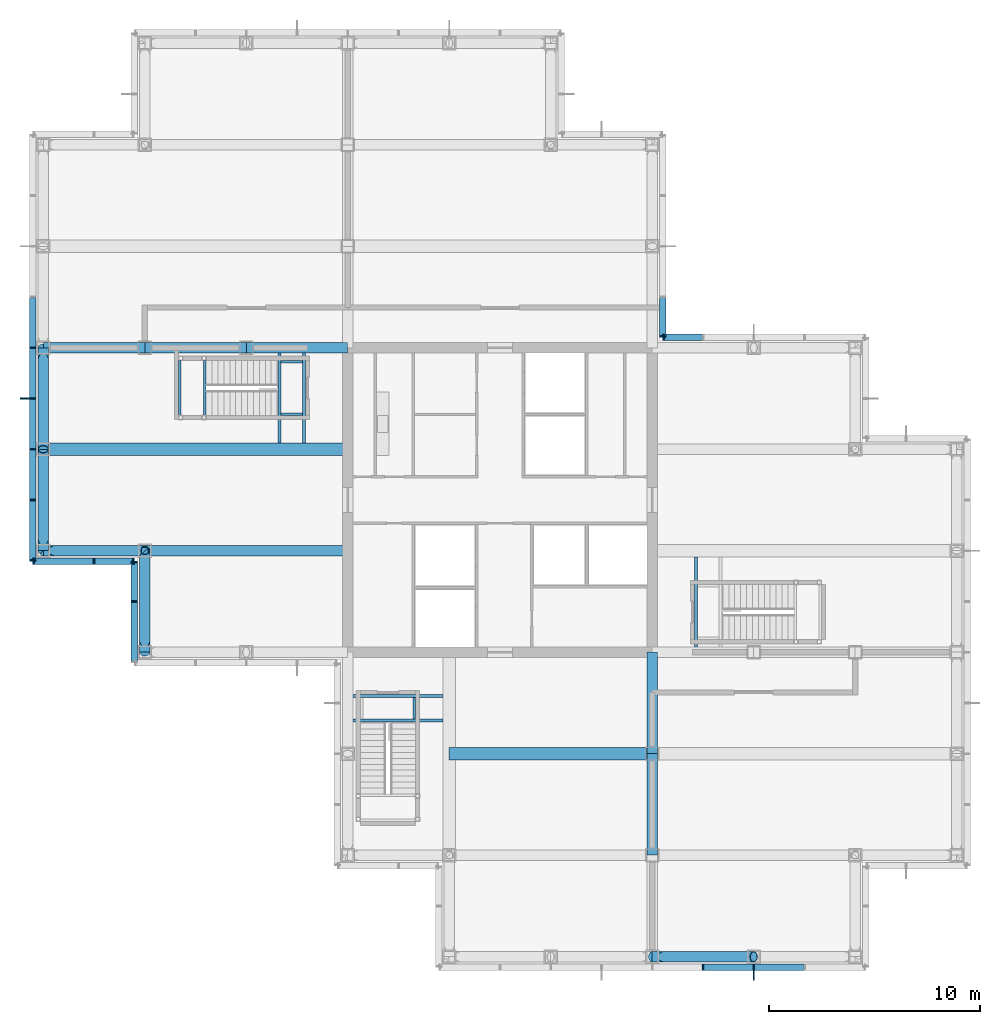
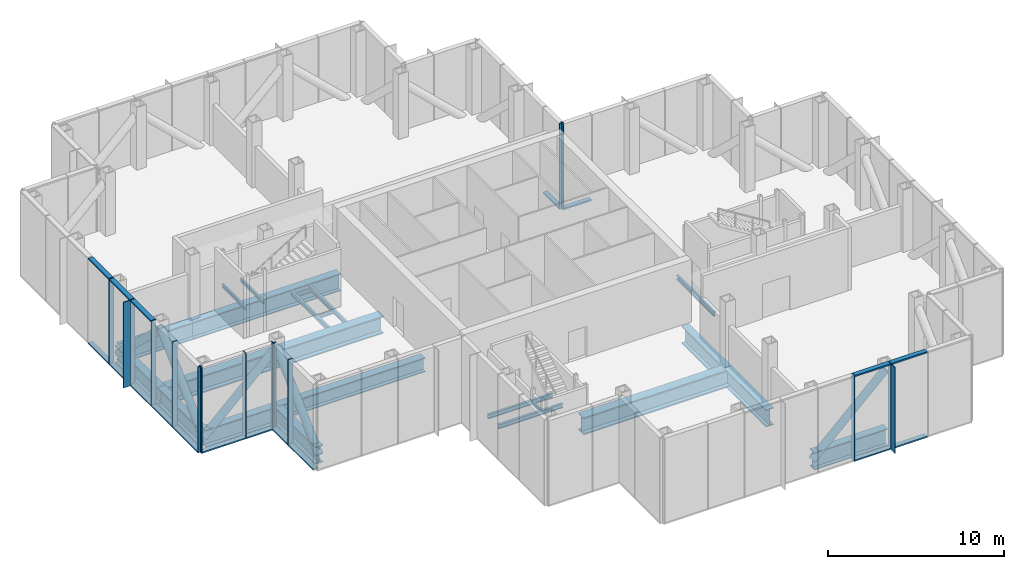
# One storey, part 7 of 17: 39 members, 23 beams, 6 elements without a shape of their own.
"""IFC4 building model written with IfcOpenShell, lengths in metres."""

import ifcopenshell
import ifcopenshell.guid

model = None  # the IFC model being written
_history = None  # IfcOwnerHistory: only IFC2X3 demands one
_inside = {}  # id of a spatial element -> (the spatial element, [elements in it])
_under = {}  # id of a project, library or spatial element -> (it, [spatial elements below it])
_declared = {}  # id of a project -> (the project, [libraries it declares])
_typed = {}  # id of a type object -> (the type object, [elements of that type])
_made_of = {}  # id of a material, layer set ... -> (it, [elements and type objects made of it])


def new_model(schema):
    """Start an empty IFC model of exactly this schema.

    Asked for "IFC4X3", IfcOpenShell would pick the latest addendum, in which some entities
    have other attributes; the version numbers below select the first issue.
    IFC2X3 requires an IfcOwnerHistory on every rooted entity: one is made here for all.
    """
    global model, _history
    if schema == "IFC4X3":
        model = ifcopenshell.file(schema_version=(4, 3, 0, 0))
    else:
        model = ifcopenshell.file(schema=schema)
    _inside.clear()
    _under.clear()
    _declared.clear()
    _typed.clear()
    _made_of.clear()
    _history = None
    if model.schema == "IFC2X3":
        org = make("IfcOrganization", Name="unknown")
        user = make(
            "IfcPersonAndOrganization",
            ThePerson=make("IfcPerson", FamilyName="unknown"),
            TheOrganization=org,
        )
        app = make(
            "IfcApplication",
            ApplicationDeveloper=org,
            Version="unknown",
            ApplicationFullName="unknown",
            ApplicationIdentifier="unknown",
        )
        _history = make(
            "IfcOwnerHistory",
            OwningUser=user,
            OwningApplication=app,
            ChangeAction="ADDED",
            CreationDate=0,
        )
    return model


def make(cls, **values):
    """One entity of the class cls with the attributes given. An attribute that is None is left unset."""
    return model.create_entity(
        cls, **{name: value for name, value in values.items() if value is not None}
    )


def rooted(cls, **values):
    """An entity with a GlobalId (a new one), such as an element, a storey or a relation."""
    return make(cls, GlobalId=ifcopenshell.guid.new(), OwnerHistory=_history, **values)


def si_unit(unit_type, name, prefix=None):
    """IfcSIUnit, for example si_unit("LENGTHUNIT", "METRE", prefix="MILLI")."""
    return make("IfcSIUnit", UnitType=unit_type, Prefix=prefix, Name=name)


def assignment(units):
    """IfcUnitAssignment: the units of a project."""
    return None if units is None else make("IfcUnitAssignment", Units=units)


def point(xyz):
    """IfcCartesianPoint."""
    return None if xyz is None else make("IfcCartesianPoint", Coordinates=xyz)


def direction(xyz):
    """IfcDirection."""
    return None if xyz is None else make("IfcDirection", DirectionRatios=xyz)


def frame(location, z_axis=None, x_axis=None):
    """IfcAxis2Placement3D, a coordinate frame: its origin and axes. An axis left out is left unset."""
    return make(
        "IfcAxis2Placement3D",
        Location=point(location),
        Axis=direction(z_axis),
        RefDirection=direction(x_axis),
    )


def frame_2d(location, x_axis=None):
    """IfcAxis2Placement2D, a coordinate frame in the plane: its origin and x axis."""
    return make(
        "IfcAxis2Placement2D", Location=point(location), RefDirection=direction(x_axis)
    )


def origin():
    """The frame at (0, 0, 0) with its axes left unset."""
    return frame((0.0, 0.0, 0.0))


def origin_2d():
    """The frame at (0, 0) in the plane with its x axis left unset."""
    return frame_2d((0.0, 0.0))


def place(relative_to, where):
    """IfcLocalPlacement: puts the frame where relative to a parent placement (None: the world)."""
    return make(
        "IfcLocalPlacement", PlacementRelTo=relative_to, RelativePlacement=where
    )


def context(
    kind, dimensions, precision=None, world=None, true_north=None, identifier=None
):
    """IfcGeometricRepresentationContext, for example the 3D "Model" context."""
    return make(
        "IfcGeometricRepresentationContext",
        ContextIdentifier=identifier,
        ContextType=kind,
        CoordinateSpaceDimension=dimensions,
        Precision=precision,
        WorldCoordinateSystem=world,
        TrueNorth=true_north,
    )


def subcontext(parent, identifier, kind, view, scale=None):
    """IfcGeometricRepresentationSubContext, for example "Body" below "Model"."""
    return make(
        "IfcGeometricRepresentationSubContext",
        ContextIdentifier=identifier,
        ContextType=kind,
        ParentContext=parent,
        TargetScale=scale,
        TargetView=view,
    )


def project(units=None, contexts=None):
    """IfcProject with its units and contexts."""
    return rooted(
        "IfcProject",
        Name="project",
        RepresentationContexts=contexts,
        UnitsInContext=assignment(units),
    )


def spatial(cls, under=None, at=None, **own):
    """A site, building, storey or space (cls), placed at a placement, below another one or the project."""
    s = rooted(cls, ObjectPlacement=at, **own)
    if under is not None:
        _under.setdefault(under.id(), (under, []))[1].append(s)
    return s


def profile(cls, at=None, kind="AREA", **sizes):
    """A parametric profile (cls). Its sizes go by their IFC names, for example OverallWidth=200.0."""
    return make(cls, ProfileType=kind, Position=at, **sizes)


def rectangle(**sizes):
    """IfcRectangleProfileDef."""
    return profile("IfcRectangleProfileDef", **sizes)


def hollow_circle(**sizes):
    """IfcCircleHollowProfileDef."""
    return profile("IfcCircleHollowProfileDef", **sizes)


def i_section(**sizes):
    """IfcIShapeProfileDef."""
    return profile("IfcIShapeProfileDef", **sizes)


def extrude(swept, where, along, depth):
    """IfcExtrudedAreaSolid: the profile swept, set in the frame where, extruded along a direction by depth."""
    return make(
        "IfcExtrudedAreaSolid",
        SweptArea=swept,
        Position=where,
        ExtrudedDirection=direction(along),
        Depth=depth,
    )


def shape(context_of_items, identifier, shape_type, items):
    """IfcShapeRepresentation: the items that make up one representation, for example the "Body"."""
    return make(
        "IfcShapeRepresentation",
        ContextOfItems=context_of_items,
        RepresentationIdentifier=identifier,
        RepresentationType=shape_type,
        Items=items,
    )


def material(Name=None, Category=None):
    """IfcMaterial."""
    return make("IfcMaterial", Name=Name, Category=Category)


def material_profile(
    of_material, cross_section, Name=None, Category=None, Priority=None
):
    """IfcMaterialProfile: a cross section and its material."""
    return make(
        "IfcMaterialProfile",
        Name=Name,
        Material=of_material,
        Profile=cross_section,
        Priority=Priority,
        Category=Category,
    )


def profile_set(profiles, Name=None, composite=None):
    """IfcMaterialProfileSet."""
    return make(
        "IfcMaterialProfileSet",
        Name=Name,
        MaterialProfiles=profiles,
        CompositeProfile=composite,
    )


def made_of(thing, what):
    """Note that an element or type object is made of a material, layer set ...; save() writes the relation."""
    if what is not None:
        _made_of.setdefault(what.id(), (what, []))[1].append(thing)
    return thing


def type_object(cls, material=None, **own):
    """A type object (cls), such as IfcWallType, which elements share."""
    return made_of(rooted(cls, **own), material)


def element(
    cls,
    number,
    at=None,
    inside=None,
    cuts=None,
    type_object=None,
    material=None,
    context=None,
    identifier="Body",
    shape_type=None,
    held_by="IfcProductDefinitionShape",
    body=None,
    shapes=None,
    **own,
):
    """One element of the class cls, such as IfcWall. Its Tag is "e" and its number.

    at: its placement. inside: the storey or other place that contains it. cuts: it is an
    opening in that element (IfcRelVoidsElement). A single representation is given by context,
    identifier, shape_type and body (its items); several are given by shapes. held_by: the class
    of the entity that holds the representations. save() writes the other relations.
    """
    e = rooted(cls, Tag="e%d" % number, ObjectPlacement=at, **own)
    if body is not None:
        shapes = [shape(context, identifier, shape_type, body)]
    if shapes is not None:
        e.Representation = make(held_by, Representations=shapes)
    if inside is not None:
        _inside.setdefault(inside.id(), (inside, []))[1].append(e)
    if cuts is not None:
        rooted(
            "IfcRelVoidsElement", RelatingBuildingElement=cuts, RelatedOpeningElement=e
        )
    if type_object is not None:
        _typed.setdefault(type_object.id(), (type_object, []))[1].append(e)
    return made_of(e, material)


def aggregate(whole, parts):
    """IfcRelAggregates: a whole, such as a stair, and the parts it consists of."""
    return rooted("IfcRelAggregates", RelatingObject=whole, RelatedObjects=parts)


def save(model, path):
    """Write the relations noted so far, then the file.

    IfcRelAggregates (storeys below a building ...), IfcRelContainedInSpatialStructure (elements
    in a storey), IfcRelDefinesByType, IfcRelAssociatesMaterial and IfcRelDeclares: one each for
    every whole, place, type object, material and project.
    """
    for whole, parts in _under.values():
        aggregate(whole, parts)
    for where, things in _inside.values():
        rooted(
            "IfcRelContainedInSpatialStructure",
            RelatedElements=things,
            RelatingStructure=where,
        )
    for kind, things in _typed.values():
        rooted("IfcRelDefinesByType", RelatedObjects=things, RelatingType=kind)
    for what, things in _made_of.values():
        rooted("IfcRelAssociatesMaterial", RelatedObjects=things, RelatingMaterial=what)
    for by, libraries in _declared.values():
        rooted("IfcRelDeclares", RelatingContext=by, RelatedDefinitions=libraries)
    model.write(path)


model = new_model("IFC4")

# Units and contexts
model_context = context("Model", 3, precision=1e-05, world=origin(), true_north=direction((0.0, 1.0)))
body_context = subcontext(model_context, "Body", "Model", "MODEL_VIEW")
ifc_project = project(units=[si_unit("LENGTHUNIT", "METRE"), si_unit("AREAUNIT", "SQUARE_METRE"), si_unit("VOLUMEUNIT", "CUBIC_METRE"), si_unit("PLANEANGLEUNIT", "RADIAN"), si_unit("MASSUNIT", "GRAM", prefix="KILO")], contexts=[model_context])

# Site, building, storey
site_placement = place(None, origin())
site = spatial("IfcSite", under=ifc_project, at=site_placement, CompositionType="ELEMENT")
building_placement = place(site_placement, origin())
building = spatial("IfcBuilding", under=site, at=building_placement, Name="Kvirike Care Tower", CompositionType="ELEMENT")
storey_placement = place(building_placement, frame((0.0, 0.0, 136.5)))
storey = spatial("IfcBuildingStorey", under=building, at=storey_placement, Name="L37", CompositionType="ELEMENT", Elevation=136.5)

# Members
ifc_material_1 = material(Name="Steel S355", Category="steel")
ifc_material_profile_1 = material_profile(ifc_material_1, hollow_circle(Radius=0.25390625, WallThickness=0.02490234375, at=origin_2d()), Name="CHS 508x25")
ifc_profile_set_1 = profile_set([ifc_material_profile_1], Name="Steel S355")
member_type_1 = type_object("IfcMemberType", Name="BELT TRUSS DIAGONAL CHS 508x25", PredefinedType="BRACE", material=ifc_profile_set_1)
member_1_placement = place(storey_placement, frame((0.0, 43.199951171875, -0.85009765625), z_axis=(0.0, -0.723490032929, 0.690334826191), x_axis=(1.0, 0.0, 0.0)))
element("IfcMember", 1, at=member_1_placement, inside=storey, type_object=member_type_1, Name="Belt truss diagonal K3-J3 L37", PredefinedType="BRACE", context=body_context, shape_type="SweptSolid", body=[
    extrude(hollow_circle(Radius=0.25390625, WallThickness=0.02490234375, at=origin_2d()), origin(), (0.0, 0.0, 1.0), 6.634521484375),
])
member_2_placement = place(storey_placement, frame((0.0, 33.60009765625, -0.85009765625), z_axis=(0.0, 0.723472495583, 0.690353205348), x_axis=(-1.0, 0.0, 0.0)))
element("IfcMember", 2, at=member_2_placement, inside=storey, type_object=member_type_1, Name="Belt truss diagonal J3-H3 L37", PredefinedType="BRACE", context=body_context, shape_type="SweptSolid", body=[
    extrude(hollow_circle(Radius=0.25390625, WallThickness=0.02490234375, at=origin_2d()), origin(), (0.0, 0.0, 1.0), 6.63427734375),
])
for number, where, z_axis, x_axis, name in (
    (3, (0.0, 33.60009765625, -0.85009765625), (0.723490032929, 0.0, 0.690334826191), (0.0, 1.0, 0.0), "Belt truss diagonal H3-H4 L37"),
    (4, (4.800048828125, 28.800048828125, -0.85009765625), (0.0, 0.723490032929, 0.690334826191), (-1.0, 0.0, 0.0), "Belt truss diagonal H4-G4 L37"),
    (5, (28.800048828125, 14.39990234375, -0.85009765625), (0.723490032929, 0.0, 0.690334826191), (0.0, 1.0, 0.0), "Belt truss diagonal D9-D10 L37"),
):
    element("IfcMember", number, at=place(storey_placement, frame(where, z_axis=z_axis, x_axis=x_axis)), inside=storey, type_object=member_type_1, Name=name, PredefinedType="BRACE", context=body_context, shape_type="SweptSolid", body=[
        extrude(hollow_circle(Radius=0.25390625, WallThickness=0.02490234375, at=origin_2d()), origin(), (0.0, 0.0, 1.0), 6.634521484375),
    ])

# Curtain wall, member
ifc_material_2 = material(Name="Anodised aluminium stick system", Category="aluminium")
curtain_wall_type = type_object("IfcCurtainWallType", Name="CW-L LOUVRED PLANT SCREEN", PredefinedType="NOTDEFINED", material=ifc_material_2)
curtain_wall_1_placement = place(storey_placement, origin())
curtain_wall_1 = element("IfcCurtainWall", 6, at=curtain_wall_1_placement, inside=storey, type_object=curtain_wall_type, Name="Curtain wall L37 face 11", PredefinedType="NOTDEFINED")
ifc_material_3 = material(Name="Bronze anodised aluminium fin", Category="aluminium")
ifc_material_profile_2 = material_profile(ifc_material_3, rectangle(XDim=0.050048828125, YDim=0.449951171875, at=origin_2d()), Name="BRONZE FIN 450")
ifc_profile_set_2 = profile_set([ifc_material_profile_2], Name="Bronze anodised aluminium fin")
member_type_2 = type_object("IfcMemberType", Name="BRONZE FIN 450", PredefinedType="USERDEFINED", material=ifc_profile_set_2)
member_3_placement = place(storey_placement, frame((-0.875, 40.800048828125, -1.449951171875), z_axis=(0.0, 0.0, 1.0), x_axis=(0.0, -1.0, 0.0)))
member_3 = element("IfcMember", 7, at=member_3_placement, type_object=member_type_2, Name="Bronze fin L37 face 11.6", ObjectType="FIN", PredefinedType="USERDEFINED", context=body_context, shape_type="SweptSolid", body=[
    extrude(rectangle(XDim=0.050048828125, YDim=0.449951171875, at=origin_2d()), origin(), (0.0, 0.0, 1.0), 5.949951171875),
])

curtain_wall_2_placement = place(storey_placement, origin())
curtain_wall_2 = element("IfcCurtainWall", 8, at=curtain_wall_2_placement, inside=storey, type_object=curtain_wall_type, Name="Curtain wall L37 face 18", PredefinedType="NOTDEFINED")
member_4_placement = place(storey_placement, frame((33.60009765625, 13.52490234375, -1.449951171875), z_axis=(0.0, 0.0, 1.0), x_axis=(1.0, 0.0, 0.0)))
member_4 = element("IfcMember", 9, at=member_4_placement, type_object=member_type_2, Name="Bronze fin L37 face 18.7", ObjectType="FIN", PredefinedType="USERDEFINED", context=body_context, shape_type="SweptSolid", body=[
    extrude(rectangle(XDim=0.050048828125, YDim=0.449951171875, at=origin_2d()), origin(), (0.0, 0.0, 1.0), 5.949951171875),
])

curtain_wall_3_placement = place(storey_placement, origin())
curtain_wall_3 = element("IfcCurtainWall", 10, at=curtain_wall_3_placement, inside=storey, type_object=curtain_wall_type, Name="Curtain wall L37 face 4", PredefinedType="NOTDEFINED")
ifc_material_4 = material(Name="Bronze anodised aluminium mullion", Category="aluminium")
ifc_material_profile_3 = material_profile(ifc_material_4, rectangle(XDim=0.06494140625, YDim=0.300048828125, at=origin_2d()), Name="CW-L MULLION 65x300")
ifc_profile_set_3 = profile_set([ifc_material_profile_3], Name="Bronze anodised aluminium mullion")
member_type_3 = type_object("IfcMemberType", Name="CW-L MULLION 65x300", PredefinedType="MULLION", material=ifc_profile_set_3)
member_5_placement = place(storey_placement, frame((29.33251953125, 43.699951171875, -1.449951171875), z_axis=(0.0, 0.0, 1.0), x_axis=(-1.0, 0.0, 0.0)))
member_5 = element("IfcMember", 11, at=member_5_placement, type_object=member_type_3, Name="CW-L mullion L37 face 4.5", PredefinedType="MULLION", context=body_context, shape_type="SweptSolid", body=[
    extrude(rectangle(XDim=0.06494140625, YDim=0.300048828125, at=origin_2d()), origin(), (0.0, 0.0, 1.0), 5.949951171875),
])

curtain_wall_4_placement = place(storey_placement, origin())
curtain_wall_4 = element("IfcCurtainWall", 12, at=curtain_wall_4_placement, inside=storey, type_object=curtain_wall_type, Name="Curtain wall L37 face 5", PredefinedType="NOTDEFINED")
member_6_placement = place(storey_placement, frame((29.300048828125, 43.732421875, -1.449951171875), z_axis=(0.0, 0.0, 1.0), x_axis=(0.0, 1.0, 0.0)))
member_6 = element("IfcMember", 13, at=member_6_placement, type_object=member_type_3, Name="CW-L mullion L37 face 5.1", PredefinedType="MULLION", context=body_context, shape_type="SweptSolid", body=[
    extrude(rectangle(XDim=0.06494140625, YDim=0.300048828125, at=origin_2d()), origin(), (0.0, 0.0, 1.0), 5.949951171875),
])

# Member
member_7_placement = place(storey_placement, frame((-0.5, 43.199951171875, -1.449951171875), z_axis=(0.0, 0.0, 1.0), x_axis=(0.0, -1.0, 0.0)))
member_7 = element("IfcMember", 14, at=member_7_placement, type_object=member_type_3, Name="CW-L mullion L37 face 11.5", PredefinedType="MULLION", context=body_context, shape_type="SweptSolid", body=[
    extrude(rectangle(XDim=0.06494140625, YDim=0.300048828125, at=origin_2d()), origin(), (0.0, 0.0, 1.0), 5.949951171875),
])

member_8_placement = place(storey_placement, frame((-0.5, 40.800048828125, -1.449951171875), z_axis=(0.0, 0.0, 1.0), x_axis=(0.0, -1.0, 0.0)))
member_8 = element("IfcMember", 15, at=member_8_placement, type_object=member_type_3, Name="CW-L mullion L37 face 11.6", PredefinedType="MULLION", context=body_context, shape_type="SweptSolid", body=[
    extrude(rectangle(XDim=0.06494140625, YDim=0.300048828125, at=origin_2d()), origin(), (0.0, 0.0, 1.0), 5.949951171875),
])

member_9_placement = place(storey_placement, frame((-0.5, 38.39990234375, -1.449951171875), z_axis=(0.0, 0.0, 1.0), x_axis=(0.0, -1.0, 0.0)))
member_9 = element("IfcMember", 16, at=member_9_placement, type_object=member_type_3, Name="CW-L mullion L37 face 11.7", PredefinedType="MULLION", context=body_context, shape_type="SweptSolid", body=[
    extrude(rectangle(XDim=0.06494140625, YDim=0.300048828125, at=origin_2d()), origin(), (0.0, 0.0, 1.0), 5.949951171875),
])

member_10_placement = place(storey_placement, frame((-0.5, 36.0, -1.449951171875), z_axis=(0.0, 0.0, 1.0), x_axis=(0.0, -1.0, 0.0)))
member_10 = element("IfcMember", 17, at=member_10_placement, type_object=member_type_3, Name="CW-L mullion L37 face 11.8", PredefinedType="MULLION", context=body_context, shape_type="SweptSolid", body=[
    extrude(rectangle(XDim=0.06494140625, YDim=0.300048828125, at=origin_2d()), origin(), (0.0, 0.0, 1.0), 5.949951171875),
])

member_11_placement = place(storey_placement, frame((-0.5, 33.132568359375, -1.449951171875), z_axis=(0.0, 0.0, 1.0), x_axis=(0.0, -1.0, 0.0)))
member_11 = element("IfcMember", 18, at=member_11_placement, type_object=member_type_3, Name="CW-L mullion L37 face 11.9", PredefinedType="MULLION", context=body_context, shape_type="SweptSolid", body=[
    extrude(rectangle(XDim=0.06494140625, YDim=0.300048828125, at=origin_2d()), origin(), (0.0, 0.0, 1.0), 5.949951171875),
])

# Curtain wall, members
curtain_wall_5_placement = place(storey_placement, origin())
curtain_wall_5 = element("IfcCurtainWall", 19, at=curtain_wall_5_placement, inside=storey, type_object=curtain_wall_type, Name="Curtain wall L37 face 12", PredefinedType="NOTDEFINED")
member_12_placement = place(storey_placement, frame((-0.467529296875, 33.10009765625, -1.449951171875), z_axis=(0.0, 0.0, 1.0), x_axis=(1.0, 0.0, 0.0)))
member_12 = element("IfcMember", 20, at=member_12_placement, type_object=member_type_3, Name="CW-L mullion L37 face 12.1", PredefinedType="MULLION", context=body_context, shape_type="SweptSolid", body=[
    extrude(rectangle(XDim=0.06494140625, YDim=0.300048828125, at=origin_2d()), origin(), (0.0, 0.0, 1.0), 5.949951171875),
])
member_13_placement = place(storey_placement, frame((2.39990234375, 33.10009765625, -1.449951171875), z_axis=(0.0, 0.0, 1.0), x_axis=(1.0, 0.0, 0.0)))
member_13 = element("IfcMember", 21, at=member_13_placement, type_object=member_type_3, Name="CW-L mullion L37 face 12.2", PredefinedType="MULLION", context=body_context, shape_type="SweptSolid", body=[
    extrude(rectangle(XDim=0.06494140625, YDim=0.300048828125, at=origin_2d()), origin(), (0.0, 0.0, 1.0), 5.949951171875),
])
member_14_placement = place(storey_placement, frame((4.267578125, 33.10009765625, -1.449951171875), z_axis=(0.0, 0.0, 1.0), x_axis=(1.0, 0.0, 0.0)))
member_14 = element("IfcMember", 22, at=member_14_placement, type_object=member_type_3, Name="CW-L mullion L37 face 12.3", PredefinedType="MULLION", context=body_context, shape_type="SweptSolid", body=[
    extrude(rectangle(XDim=0.06494140625, YDim=0.300048828125, at=origin_2d()), origin(), (0.0, 0.0, 1.0), 5.949951171875),
])

curtain_wall_6_placement = place(storey_placement, origin())
curtain_wall_6 = element("IfcCurtainWall", 23, at=curtain_wall_6_placement, inside=storey, type_object=curtain_wall_type, Name="Curtain wall L37 face 13", PredefinedType="NOTDEFINED")
member_15_placement = place(storey_placement, frame((4.300048828125, 33.0673828125, -1.449951171875), z_axis=(0.0, 0.0, 1.0), x_axis=(0.0, -1.0, 0.0)))
member_15 = element("IfcMember", 24, at=member_15_placement, type_object=member_type_3, Name="CW-L mullion L37 face 13.1", PredefinedType="MULLION", context=body_context, shape_type="SweptSolid", body=[
    extrude(rectangle(XDim=0.06494140625, YDim=0.300048828125, at=origin_2d()), origin(), (0.0, 0.0, 1.0), 5.949951171875),
])
member_16_placement = place(storey_placement, frame((4.300048828125, 31.199951171875, -1.449951171875), z_axis=(0.0, 0.0, 1.0), x_axis=(0.0, -1.0, 0.0)))
member_16 = element("IfcMember", 25, at=member_16_placement, type_object=member_type_3, Name="CW-L mullion L37 face 13.2", PredefinedType="MULLION", context=body_context, shape_type="SweptSolid", body=[
    extrude(rectangle(XDim=0.06494140625, YDim=0.300048828125, at=origin_2d()), origin(), (0.0, 0.0, 1.0), 5.949951171875),
])

# Member
member_17_placement = place(storey_placement, frame((31.199951171875, 13.89990234375, -1.449951171875), z_axis=(0.0, 0.0, 1.0), x_axis=(1.0, 0.0, 0.0)))
member_17 = element("IfcMember", 26, at=member_17_placement, type_object=member_type_3, Name="CW-L mullion L37 face 18.6", PredefinedType="MULLION", context=body_context, shape_type="SweptSolid", body=[
    extrude(rectangle(XDim=0.06494140625, YDim=0.300048828125, at=origin_2d()), origin(), (0.0, 0.0, 1.0), 5.949951171875),
])

member_18_placement = place(storey_placement, frame((33.60009765625, 13.89990234375, -1.449951171875), z_axis=(0.0, 0.0, 1.0), x_axis=(1.0, 0.0, 0.0)))
member_18 = element("IfcMember", 27, at=member_18_placement, type_object=member_type_3, Name="CW-L mullion L37 face 18.7", PredefinedType="MULLION", context=body_context, shape_type="SweptSolid", body=[
    extrude(rectangle(XDim=0.06494140625, YDim=0.300048828125, at=origin_2d()), origin(), (0.0, 0.0, 1.0), 5.949951171875),
])

ifc_material_5 = material(Name="Bronze anodised aluminium transom", Category="aluminium")
ifc_material_profile_4 = material_profile(ifc_material_5, rectangle(XDim=0.300048828125, YDim=0.10009765625, at=origin_2d()), Name="CW-L TRANSOM 300x100")
ifc_profile_set_4 = profile_set([ifc_material_profile_4], Name="Bronze anodised aluminium transom")
member_type_4 = type_object("IfcMemberType", Name="CW-L TRANSOM 300x100", PredefinedType="USERDEFINED", material=ifc_profile_set_4)
member_19_placement = place(storey_placement, frame((31.16748046875, 43.699951171875, -1.39990234375), z_axis=(-1.0, 0.0, 0.0), x_axis=(0.0, -1.0, 0.0)))
member_19 = element("IfcMember", 28, at=member_19_placement, type_object=member_type_4, Name="CW-L sill transom L37 face 4.4", ObjectType="TRANSOM", PredefinedType="USERDEFINED", context=body_context, shape_type="SweptSolid", body=[
    extrude(rectangle(XDim=0.300048828125, YDim=0.10009765625, at=origin_2d()), origin(), (0.0, 0.0, 1.0), 1.802490234375),
])

aggregate(curtain_wall_3, [member_5, member_19])

member_20_placement = place(storey_placement, frame((29.300048828125, 43.764892578125, -1.39990234375), z_axis=(0.0, 1.0, 0.0), x_axis=(-1.0, 0.0, 0.0)))
member_20 = element("IfcMember", 29, at=member_20_placement, type_object=member_type_4, Name="CW-L sill transom L37 face 5.1", ObjectType="TRANSOM", PredefinedType="USERDEFINED", context=body_context, shape_type="SweptSolid", body=[
    extrude(rectangle(XDim=0.300048828125, YDim=0.10009765625, at=origin_2d()), origin(), (0.0, 0.0, 1.0), 1.802490234375),
])

aggregate(curtain_wall_4, [member_6, member_20])

member_21_placement = place(storey_placement, frame((-0.5, 45.5673828125, -1.39990234375), z_axis=(0.0, -1.0, 0.0), x_axis=(1.0, 0.0, 0.0)))
member_21 = element("IfcMember", 30, at=member_21_placement, type_object=member_type_4, Name="CW-L sill transom L37 face 11.4", ObjectType="TRANSOM", PredefinedType="USERDEFINED", context=body_context, shape_type="SweptSolid", body=[
    extrude(rectangle(XDim=0.300048828125, YDim=0.10009765625, at=origin_2d()), origin(), (0.0, 0.0, 1.0), 2.3349609375),
])

member_22_placement = place(storey_placement, frame((-0.5, 45.5673828125, 4.449951171875), z_axis=(0.0, -1.0, 0.0), x_axis=(1.0, 0.0, 0.0)))
member_22 = element("IfcMember", 31, at=member_22_placement, type_object=member_type_4, Name="CW-L head transom L37 face 11.4", ObjectType="TRANSOM", PredefinedType="USERDEFINED", context=body_context, shape_type="SweptSolid", body=[
    extrude(rectangle(XDim=0.300048828125, YDim=0.10009765625, at=origin_2d()), origin(), (0.0, 0.0, 1.0), 2.3349609375),
])

member_23_placement = place(storey_placement, frame((-0.5, 43.16748046875, -1.39990234375), z_axis=(0.0, -1.0, 0.0), x_axis=(1.0, 0.0, 0.0)))
member_23 = element("IfcMember", 32, at=member_23_placement, type_object=member_type_4, Name="CW-L sill transom L37 face 11.5", ObjectType="TRANSOM", PredefinedType="USERDEFINED", context=body_context, shape_type="SweptSolid", body=[
    extrude(rectangle(XDim=0.300048828125, YDim=0.10009765625, at=origin_2d()), origin(), (0.0, 0.0, 1.0), 2.3349609375),
])

member_24_placement = place(storey_placement, frame((-0.5, 43.16748046875, 4.449951171875), z_axis=(0.0, -1.0, 0.0), x_axis=(1.0, 0.0, 0.0)))
member_24 = element("IfcMember", 33, at=member_24_placement, type_object=member_type_4, Name="CW-L head transom L37 face 11.5", ObjectType="TRANSOM", PredefinedType="USERDEFINED", context=body_context, shape_type="SweptSolid", body=[
    extrude(rectangle(XDim=0.300048828125, YDim=0.10009765625, at=origin_2d()), origin(), (0.0, 0.0, 1.0), 2.3349609375),
])

member_25_placement = place(storey_placement, frame((-0.5, 40.767578125, -1.39990234375), z_axis=(0.0, -1.0, 0.0), x_axis=(1.0, 0.0, 0.0)))
member_25 = element("IfcMember", 34, at=member_25_placement, type_object=member_type_4, Name="CW-L sill transom L37 face 11.6", ObjectType="TRANSOM", PredefinedType="USERDEFINED", context=body_context, shape_type="SweptSolid", body=[
    extrude(rectangle(XDim=0.300048828125, YDim=0.10009765625, at=origin_2d()), origin(), (0.0, 0.0, 1.0), 2.3349609375),
])

member_26_placement = place(storey_placement, frame((-0.5, 40.767578125, 4.449951171875), z_axis=(0.0, -1.0, 0.0), x_axis=(1.0, 0.0, 0.0)))
member_26 = element("IfcMember", 35, at=member_26_placement, type_object=member_type_4, Name="CW-L head transom L37 face 11.6", ObjectType="TRANSOM", PredefinedType="USERDEFINED", context=body_context, shape_type="SweptSolid", body=[
    extrude(rectangle(XDim=0.300048828125, YDim=0.10009765625, at=origin_2d()), origin(), (0.0, 0.0, 1.0), 2.3349609375),
])

member_27_placement = place(storey_placement, frame((-0.5, 38.367431640625, -1.39990234375), z_axis=(0.0, -1.0, 0.0), x_axis=(1.0, 0.0, 0.0)))
member_27 = element("IfcMember", 36, at=member_27_placement, type_object=member_type_4, Name="CW-L sill transom L37 face 11.7", ObjectType="TRANSOM", PredefinedType="USERDEFINED", context=body_context, shape_type="SweptSolid", body=[
    extrude(rectangle(XDim=0.300048828125, YDim=0.10009765625, at=origin_2d()), origin(), (0.0, 0.0, 1.0), 2.3349609375),
])

member_28_placement = place(storey_placement, frame((-0.5, 35.967529296875, -1.39990234375), z_axis=(0.0, -1.0, 0.0), x_axis=(1.0, 0.0, 0.0)))
member_28 = element("IfcMember", 37, at=member_28_placement, type_object=member_type_4, Name="CW-L sill transom L37 face 11.8", ObjectType="TRANSOM", PredefinedType="USERDEFINED", context=body_context, shape_type="SweptSolid", body=[
    extrude(rectangle(XDim=0.300048828125, YDim=0.10009765625, at=origin_2d()), origin(), (0.0, 0.0, 1.0), 2.802490234375),
])

aggregate(curtain_wall_1, [member_7, member_8, member_3, member_9, member_10, member_11, member_21, member_22, member_23, member_24, member_25, member_26, member_27, member_28])

member_29_placement = place(storey_placement, frame((-0.43505859375, 33.10009765625, -1.39990234375), z_axis=(1.0, 0.0, 0.0), x_axis=(0.0, 1.0, 0.0)))
member_29 = element("IfcMember", 38, at=member_29_placement, type_object=member_type_4, Name="CW-L sill transom L37 face 12.1", ObjectType="TRANSOM", PredefinedType="USERDEFINED", context=body_context, shape_type="SweptSolid", body=[
    extrude(rectangle(XDim=0.300048828125, YDim=0.10009765625, at=origin_2d()), origin(), (0.0, 0.0, 1.0), 2.802490234375),
])

member_30_placement = place(storey_placement, frame((2.4326171875, 33.10009765625, -1.39990234375), z_axis=(1.0, 0.0, 0.0), x_axis=(0.0, 1.0, 0.0)))
member_30 = element("IfcMember", 39, at=member_30_placement, type_object=member_type_4, Name="CW-L sill transom L37 face 12.2", ObjectType="TRANSOM", PredefinedType="USERDEFINED", context=body_context, shape_type="SweptSolid", body=[
    extrude(rectangle(XDim=0.300048828125, YDim=0.10009765625, at=origin_2d()), origin(), (0.0, 0.0, 1.0), 1.802490234375),
])

aggregate(curtain_wall_5, [member_12, member_13, member_14, member_29, member_30])

member_31_placement = place(storey_placement, frame((4.300048828125, 33.034912109375, -1.39990234375), z_axis=(0.0, -1.0, 0.0), x_axis=(1.0, 0.0, 0.0)))
member_31 = element("IfcMember", 40, at=member_31_placement, type_object=member_type_4, Name="CW-L sill transom L37 face 13.1", ObjectType="TRANSOM", PredefinedType="USERDEFINED", context=body_context, shape_type="SweptSolid", body=[
    extrude(rectangle(XDim=0.300048828125, YDim=0.10009765625, at=origin_2d()), origin(), (0.0, 0.0, 1.0), 1.802490234375),
])

member_32_placement = place(storey_placement, frame((4.300048828125, 31.16748046875, -1.39990234375), z_axis=(0.0, -1.0, 0.0), x_axis=(1.0, 0.0, 0.0)))
member_32 = element("IfcMember", 41, at=member_32_placement, type_object=member_type_4, Name="CW-L sill transom L37 face 13.2", ObjectType="TRANSOM", PredefinedType="USERDEFINED", context=body_context, shape_type="SweptSolid", body=[
    extrude(rectangle(XDim=0.300048828125, YDim=0.10009765625, at=origin_2d()), origin(), (0.0, 0.0, 1.0), 2.802490234375),
])

aggregate(curtain_wall_6, [member_15, member_16, member_31, member_32])

member_33_placement = place(storey_placement, frame((31.232421875, 13.89990234375, -1.39990234375), z_axis=(1.0, 0.0, 0.0), x_axis=(0.0, 1.0, 0.0)))
member_33 = element("IfcMember", 42, at=member_33_placement, type_object=member_type_4, Name="CW-L sill transom L37 face 18.6", ObjectType="TRANSOM", PredefinedType="USERDEFINED", context=body_context, shape_type="SweptSolid", body=[
    extrude(rectangle(XDim=0.300048828125, YDim=0.10009765625, at=origin_2d()), origin(), (0.0, 0.0, 1.0), 2.3349609375),
])

member_34_placement = place(storey_placement, frame((31.232421875, 13.89990234375, 4.449951171875), z_axis=(1.0, 0.0, 0.0), x_axis=(0.0, 1.0, 0.0)))
member_34 = element("IfcMember", 43, at=member_34_placement, type_object=member_type_4, Name="CW-L head transom L37 face 18.6", ObjectType="TRANSOM", PredefinedType="USERDEFINED", context=body_context, shape_type="SweptSolid", body=[
    extrude(rectangle(XDim=0.300048828125, YDim=0.10009765625, at=origin_2d()), origin(), (0.0, 0.0, 1.0), 2.3349609375),
])

member_35_placement = place(storey_placement, frame((33.632568359375, 13.89990234375, -1.39990234375), z_axis=(1.0, 0.0, 0.0), x_axis=(0.0, 1.0, 0.0)))
member_35 = element("IfcMember", 44, at=member_35_placement, type_object=member_type_4, Name="CW-L sill transom L37 face 18.7", ObjectType="TRANSOM", PredefinedType="USERDEFINED", context=body_context, shape_type="SweptSolid", body=[
    extrude(rectangle(XDim=0.300048828125, YDim=0.10009765625, at=origin_2d()), origin(), (0.0, 0.0, 1.0), 2.3349609375),
])

member_36_placement = place(storey_placement, frame((33.632568359375, 13.89990234375, 4.449951171875), z_axis=(1.0, 0.0, 0.0), x_axis=(0.0, 1.0, 0.0)))
member_36 = element("IfcMember", 45, at=member_36_placement, type_object=member_type_4, Name="CW-L head transom L37 face 18.7", ObjectType="TRANSOM", PredefinedType="USERDEFINED", context=body_context, shape_type="SweptSolid", body=[
    extrude(rectangle(XDim=0.300048828125, YDim=0.10009765625, at=origin_2d()), origin(), (0.0, 0.0, 1.0), 2.3349609375),
])

aggregate(curtain_wall_2, [member_17, member_18, member_4, member_33, member_34, member_35, member_36])

# Beams
ifc_material_6 = material(Name="Steel S355", Category="steel")
ifc_material_profile_5 = material_profile(ifc_material_6, i_section(OverallWidth=0.5, OverallDepth=1.199951171875, WebThickness=0.030029296875, FlangeThickness=0.06005859375, at=origin_2d()), Name="PG 1200x500x30x60")
ifc_profile_set_5 = profile_set([ifc_material_profile_5], Name="Steel S355")
beam_type_1 = type_object("IfcBeamType", Name="FRAME BEAM PG 1200x500x30x60", PredefinedType="BEAM", material=ifc_profile_set_5)
for number, where, z_axis, x_axis, name in (
    (46, (0.0, 43.199951171875, -0.85009765625), (1.0, 0.0, 0.0), (0.0, 1.0, 0.0), "Frame Beam K3-K4 L37"),
    (47, (4.800048828125, 43.199951171875, -0.85009765625), (1.0, 0.0, 0.0), (0.0, 1.0, 0.0), "Frame Beam K4-K5 L37"),
):
    element("IfcBeam", number, at=place(storey_placement, frame(where, z_axis=z_axis, x_axis=x_axis)), inside=storey, type_object=beam_type_1, Name=name, PredefinedType="BEAM", context=body_context, shape_type="SweptSolid", body=[
        extrude(i_section(OverallWidth=0.5, OverallDepth=1.199951171875, WebThickness=0.030029296875, FlangeThickness=0.06005859375, at=origin_2d()), origin(), (0.0, 0.0, 1.0), 4.800048828125),
    ])
beam_1_placement = place(storey_placement, frame((9.60009765625, 43.199951171875, -0.85009765625), z_axis=(1.0, 0.0, 0.0), x_axis=(0.0, 1.0, 0.0)))
element("IfcBeam", 48, at=beam_1_placement, inside=storey, type_object=beam_type_1, Name="Frame Beam K5-K6 L37", PredefinedType="BEAM", context=body_context, shape_type="SweptSolid", body=[
    extrude(i_section(OverallWidth=0.5, OverallDepth=1.199951171875, WebThickness=0.030029296875, FlangeThickness=0.06005859375, at=origin_2d()), origin(), (0.0, 0.0, 1.0), 4.7998046875),
])
for number, where, z_axis, x_axis, name in (
    (49, (28.800048828125, 19.199951171875, -0.85009765625), (0.0, 1.0, 0.0), (-1.0, 0.0, 0.0), "Frame Beam E9-F9 L37"),
    (50, (28.800048828125, 24.0, -0.85009765625), (0.0, 1.0, 0.0), (-1.0, 0.0, 0.0), "Frame Beam F9-G9 L37"),
):
    element("IfcBeam", number, at=place(storey_placement, frame(where, z_axis=z_axis, x_axis=x_axis)), inside=storey, type_object=beam_type_1, Name=name, PredefinedType="BEAM", context=body_context, shape_type="SweptSolid", body=[
        extrude(i_section(OverallWidth=0.5, OverallDepth=1.199951171875, WebThickness=0.030029296875, FlangeThickness=0.06005859375, at=origin_2d()), origin(), (0.0, 0.0, 1.0), 4.800048828125),
    ])
ifc_material_7 = material(Name="Steel S355", Category="steel")
ifc_material_profile_6 = material_profile(ifc_material_7, i_section(OverallWidth=0.5, OverallDepth=1.0, WebThickness=0.030029296875, FlangeThickness=0.06005859375, at=origin_2d()), Name="PG 1000x500x30x60")
ifc_profile_set_6 = profile_set([ifc_material_profile_6], Name="Steel S355")
beam_type_2 = type_object("IfcBeamType", Name="PLANT FLOOR GIRDER PG 1000x500x30x60", PredefinedType="BEAM", material=ifc_profile_set_6)
beam_2_placement = place(storey_placement, frame((4.800048828125, 33.60009765625, -0.75), z_axis=(1.0, 0.0, 0.0), x_axis=(0.0, 1.0, 0.0)))
element("IfcBeam", 51, at=beam_2_placement, inside=storey, type_object=beam_type_2, Name="Plant Floor Girder H4-H6 L37", PredefinedType="BEAM", context=body_context, shape_type="SweptSolid", body=[
    extrude(i_section(OverallWidth=0.5, OverallDepth=1.0, WebThickness=0.030029296875, FlangeThickness=0.06005859375, at=origin_2d()), origin(), (0.0, 0.0, 1.0), 9.599853515625),
])
ifc_material_8 = material(Name="Steel S355", Category="steel")
ifc_material_profile_7 = material_profile(ifc_material_8, i_section(OverallWidth=0.60009765625, OverallDepth=1.199951171875, WebThickness=0.0400390625, FlangeThickness=0.080078125, at=origin_2d()), Name="PG 1200x600x40x80")
ifc_profile_set_7 = profile_set([ifc_material_profile_7], Name="Steel S355")
beam_type_3 = type_object("IfcBeamType", Name="PLANT FLOOR GIRDER PG 1200x600x40x80", PredefinedType="BEAM", material=ifc_profile_set_7)
beam_3_placement = place(storey_placement, frame((19.199951171875, 24.0, -0.85009765625), z_axis=(1.0, 0.0, 0.0), x_axis=(0.0, 1.0, 0.0)))
element("IfcBeam", 52, at=beam_3_placement, inside=storey, type_object=beam_type_3, Name="Plant Floor Girder F7-F9 L37", PredefinedType="BEAM", context=body_context, shape_type="SweptSolid", body=[
    extrude(i_section(OverallWidth=0.60009765625, OverallDepth=1.199951171875, WebThickness=0.0400390625, FlangeThickness=0.080078125, at=origin_2d()), origin(), (0.0, 0.0, 1.0), 9.60009765625),
])
beam_4_placement = place(storey_placement, frame((0.0, 38.39990234375, -0.85009765625), z_axis=(1.0, 0.0, 0.0), x_axis=(0.0, 1.0, 0.0)))
element("IfcBeam", 53, at=beam_4_placement, inside=storey, type_object=beam_type_3, Name="Plant Floor Girder J3-J6 L37", PredefinedType="BEAM", context=body_context, shape_type="SweptSolid", body=[
    extrude(i_section(OverallWidth=0.60009765625, OverallDepth=1.199951171875, WebThickness=0.0400390625, FlangeThickness=0.080078125, at=origin_2d()), origin(), (0.0, 0.0, 1.0), 14.39990234375),
])
ifc_material_9 = material(Name="Steel S355", Category="steel")
ifc_material_profile_8 = material_profile(ifc_material_9, i_section(OverallWidth=0.5, OverallDepth=1.199951171875, WebThickness=0.030029296875, FlangeThickness=0.06005859375, at=origin_2d()), Name="PG 1200x500x30x60")
ifc_profile_set_8 = profile_set([ifc_material_profile_8], Name="Steel S355")
beam_type_4 = type_object("IfcBeamType", Name="SPANDREL PG 1200x500x30x60", PredefinedType="SPANDREL", material=ifc_profile_set_8)
for number, where, z_axis, x_axis, name in (
    (54, (28.800048828125, 14.39990234375, -0.85009765625), (1.0, 0.0, 0.0), (0.0, 1.0, 0.0), "Spandrel D9-D10 L37"),
    (55, (0.0, 33.60009765625, -0.85009765625), (1.0, 0.0, 0.0), (0.0, 1.0, 0.0), "Spandrel H3-H4 L37"),
):
    element("IfcBeam", number, at=place(storey_placement, frame(where, z_axis=z_axis, x_axis=x_axis)), inside=storey, type_object=beam_type_4, Name=name, PredefinedType="SPANDREL", context=body_context, shape_type="SweptSolid", body=[
        extrude(i_section(OverallWidth=0.5, OverallDepth=1.199951171875, WebThickness=0.030029296875, FlangeThickness=0.06005859375, at=origin_2d()), origin(), (0.0, 0.0, 1.0), 4.800048828125),
    ])
beam_5_placement = place(storey_placement, frame((0.0, 33.60009765625, -0.85009765625), z_axis=(0.0, 1.0, 0.0), x_axis=(-1.0, 0.0, 0.0)))
element("IfcBeam", 56, at=beam_5_placement, inside=storey, type_object=beam_type_4, Name="Spandrel H3-J3 L37", PredefinedType="SPANDREL", context=body_context, shape_type="SweptSolid", body=[
    extrude(i_section(OverallWidth=0.5, OverallDepth=1.199951171875, WebThickness=0.030029296875, FlangeThickness=0.06005859375, at=origin_2d()), origin(), (0.0, 0.0, 1.0), 4.7998046875),
])
for number, where, z_axis, x_axis, name in (
    (57, (0.0, 38.39990234375, -0.85009765625), (0.0, 1.0, 0.0), (-1.0, 0.0, 0.0), "Spandrel J3-K3 L37"),
    (58, (4.800048828125, 28.800048828125, -0.85009765625), (0.0, 1.0, 0.0), (-1.0, 0.0, 0.0), "Spandrel G4-H4 L37"),
):
    element("IfcBeam", number, at=place(storey_placement, frame(where, z_axis=z_axis, x_axis=x_axis)), inside=storey, type_object=beam_type_4, Name=name, PredefinedType="SPANDREL", context=body_context, shape_type="SweptSolid", body=[
        extrude(i_section(OverallWidth=0.5, OverallDepth=1.199951171875, WebThickness=0.030029296875, FlangeThickness=0.06005859375, at=origin_2d()), origin(), (0.0, 0.0, 1.0), 4.800048828125),
    ])
ifc_material_10 = material(Name="Steel S355", Category="steel")
ifc_material_profile_9 = material_profile(ifc_material_10, i_section(OverallWidth=0.1201171875, OverallDepth=0.239990234375, WebThickness=0.006103515625, FlangeThickness=0.009765625, FilletRadius=0.014892578125, at=origin_2d()), Name="IPE 240")
ifc_profile_set_9 = profile_set([ifc_material_profile_9], Name="Steel S355")
beam_type_5 = type_object("IfcBeamType", Name="STAIR LANDING BEAM IPE 240", PredefinedType="BEAM", material=ifc_profile_set_9)
for number, where, z_axis, x_axis, name in (
    (59, (6.4599609375, 42.60009765625, 1.929931640625), (0.0, -1.0, 0.0), (1.0, 0.0, 0.0), "Stair 1 landing beam back L37"),
    (60, (7.639892578125, 42.60009765625, 1.929931640625), (0.0, -1.0, 0.0), (1.0, 0.0, 0.0), "Stair 1 landing beam front L37"),
):
    element("IfcBeam", number, at=place(storey_placement, frame(where, z_axis=z_axis, x_axis=x_axis)), inside=storey, type_object=beam_type_5, Name=name, PredefinedType="BEAM", context=body_context, shape_type="SweptSolid", body=[
        extrude(i_section(OverallWidth=0.1201171875, OverallDepth=0.239990234375, WebThickness=0.006103515625, FlangeThickness=0.009765625, FilletRadius=0.014892578125, at=origin_2d()), origin(), (0.0, 0.0, 1.0), 2.60009765625),
    ])
for number, where, z_axis, x_axis, name in (
    (61, (11.25, 42.5400390625, -0.3701171875), (1.0, 0.0, 0.0), (0.0, 1.0, 0.0), "Stair 1 landing edge beam 1 L37"),
    (62, (11.25, 40.06005859375, -0.3701171875), (1.0, 0.0, 0.0), (0.0, 1.0, 0.0), "Stair 1 landing edge beam 2 L37"),
    (63, (17.5400390625, 25.64990234375, -0.3701171875), (0.0, 1.0, 0.0), (-1.0, 0.0, 0.0), "Stair 5 landing edge beam 2 L37"),
):
    element("IfcBeam", number, at=place(storey_placement, frame(where, z_axis=z_axis, x_axis=x_axis)), inside=storey, type_object=beam_type_5, Name=name, PredefinedType="BEAM", context=body_context, shape_type="SweptSolid", body=[
        extrude(i_section(OverallWidth=0.1201171875, OverallDepth=0.239990234375, WebThickness=0.006103515625, FlangeThickness=0.009765625, FilletRadius=0.014892578125, at=origin_2d()), origin(), (0.0, 0.0, 1.0), 1.0),
    ])
ifc_material_11 = material(Name="Steel S355", Category="steel")
ifc_material_profile_10 = material_profile(ifc_material_11, i_section(OverallWidth=0.14990234375, OverallDepth=0.300048828125, WebThickness=0.007080078125, FlangeThickness=0.0107421875, FilletRadius=0.014892578125, at=origin_2d()), Name="IPE 300")
ifc_profile_set_10 = profile_set([ifc_material_profile_10], Name="Steel S355")
beam_type_6 = type_object("IfcBeamType", Name="STAIR TRIMMER IPE 300", PredefinedType="BEAM", material=ifc_profile_set_10)
for number, where, z_axis, x_axis, name in (
    (64, (11.175048828125, 42.949951171875, -0.39990234375), (0.0, -1.0, 0.0), (1.0, 0.0, 0.0), "Stair 1 trimmer 1 L37"),
    (65, (12.324951171875, 42.949951171875, -0.39990234375), (0.0, -1.0, 0.0), (1.0, 0.0, 0.0), "Stair 1 trimmer 2 L37"),
    (66, (30.875, 29.050048828125, -0.39990234375), (0.0, 1.0, 0.0), (-1.0, 0.0, 0.0), "Stair 2 trimmer 2 L37"),
    (67, (14.64990234375, 25.574951171875, -0.39990234375), (1.0, 0.0, 0.0), (0.0, 1.0, 0.0), "Stair 5 trimmer 1 L37"),
    (68, (14.64990234375, 26.72509765625, -0.39990234375), (1.0, 0.0, 0.0), (0.0, 1.0, 0.0), "Stair 5 trimmer 2 L37"),
):
    element("IfcBeam", number, at=place(storey_placement, frame(where, z_axis=z_axis, x_axis=x_axis)), inside=storey, type_object=beam_type_6, Name=name, PredefinedType="BEAM", context=body_context, shape_type="SweptSolid", body=[
        extrude(i_section(OverallWidth=0.14990234375, OverallDepth=0.300048828125, WebThickness=0.007080078125, FlangeThickness=0.0107421875, FilletRadius=0.014892578125, at=origin_2d()), origin(), (0.0, 0.0, 1.0), 4.25),
    ])

save(model, "model.ifc")
